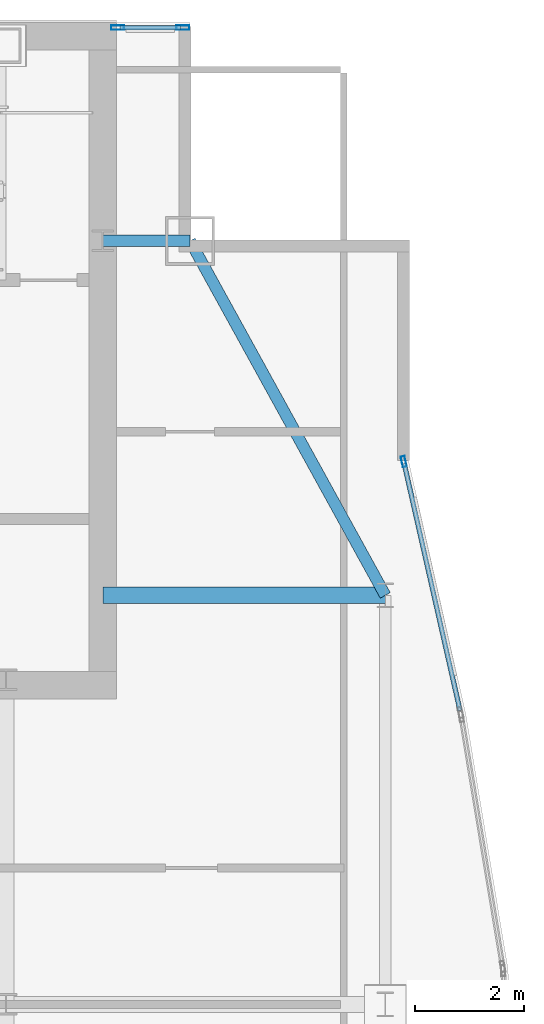
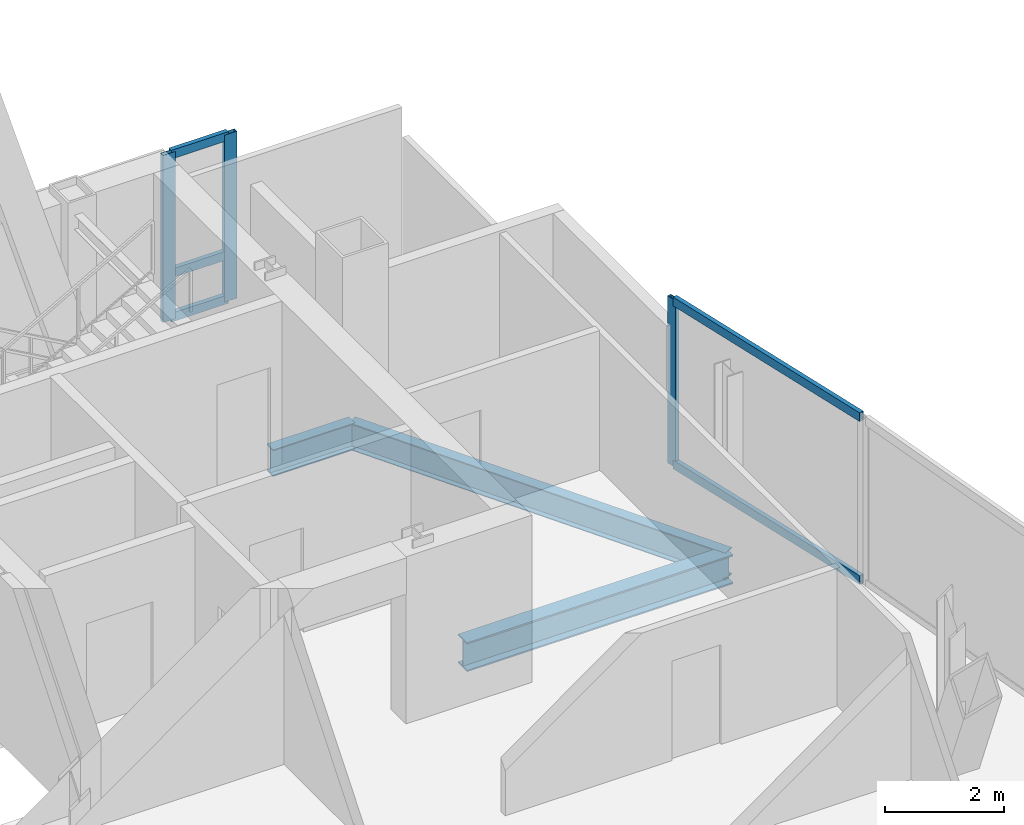
# One storey, part 24 of 31: 8 members, 3 beams, 2 elements without a shape of their own.
"""IFC4 building model written with IfcOpenShell, lengths in metres."""

from ifc_helpers import new_model, si_unit, direction, frame, origin, origin_2d, place, context, subcontext, project, spatial, hollow_rectangle, i_section, extrude, material, material_profile, profile_set, type_object, element, aggregate, save


model = new_model("IFC4")

# Units and contexts
model_context = context("Model", 3, precision=1e-05, world=origin(), true_north=direction((0.0, 1.0)))
body_context = subcontext(model_context, "Body", "Model", "MODEL_VIEW")
ifc_project = project(units=[si_unit("LENGTHUNIT", "METRE"), si_unit("AREAUNIT", "SQUARE_METRE"), si_unit("VOLUMEUNIT", "CUBIC_METRE"), si_unit("PLANEANGLEUNIT", "RADIAN"), si_unit("MASSUNIT", "GRAM", prefix="KILO")], contexts=[model_context])

# Site, building, storey
site_placement = place(None, origin())
site = spatial("IfcSite", under=ifc_project, at=site_placement, CompositionType="ELEMENT")
building_placement = place(site_placement, origin())
building = spatial("IfcBuilding", under=site, at=building_placement, Name="Khoronbel Lancet Exchange", CompositionType="ELEMENT")
storey_placement = place(building_placement, frame((0.0, 0.0, 325.39990234375)))
storey = spatial("IfcBuildingStorey", under=building, at=storey_placement, Name="L84", CompositionType="ELEMENT", Elevation=325.39990234375)

# Beams
ifc_material_1 = material(Name="Steel S355", Category="steel")
ifc_material_profile_1 = material_profile(ifc_material_1, i_section(OverallWidth=0.300048828125, OverallDepth=0.60009765625, WebThickness=0.015380859375, FlangeThickness=0.030029296875, at=origin_2d()), Name="HEB 600")
ifc_profile_set_1 = profile_set([ifc_material_profile_1], Name="Steel S355")
beam_type_1 = type_object("IfcBeamType", Name="BM-BG5", PredefinedType="BEAM", material=ifc_profile_set_1)
beam_1_placement = place(storey_placement, frame((56.449951171875, 43.199951171875, -0.4599609375), z_axis=(1.0, 0.0, 0.0), x_axis=(0.0, 1.0, 0.0)))
element("IfcBeam", 1, at=beam_1_placement, inside=storey, type_object=beam_type_1, Name="Level L84 east lens tie girder LG3E", PredefinedType="BEAM", context=body_context, shape_type="SweptSolid", body=[
    extrude(i_section(OverallWidth=0.300048828125, OverallDepth=0.60009765625, WebThickness=0.015380859375, FlangeThickness=0.030029296875, at=origin_2d()), origin(), (0.0, 0.0, 1.0), 5.179931640625),
])
ifc_material_profile_2 = material_profile(ifc_material_1, i_section(OverallWidth=0.2099609375, OverallDepth=0.550048828125, WebThickness=0.010986328125, FlangeThickness=0.01708984375, at=origin_2d()), Name="IPE 550")
ifc_profile_set_2 = profile_set([ifc_material_profile_2], Name="Steel S355")
beam_type_2 = type_object("IfcBeamType", Name="BM-BSP3", PredefinedType="SPANDREL", material=ifc_profile_set_2)
beam_2_placement = place(storey_placement, frame((61.6298828125, 43.199951171875, -0.434814453125), z_axis=(-0.482418808117, 0.875940690672, 0.0), x_axis=(-0.875940690672, -0.482418808117, 0.0)))
element("IfcBeam", 2, at=beam_2_placement, inside=storey, type_object=beam_type_2, Name="Level L84 perimeter spandrel beam SP13", PredefinedType="SPANDREL", context=body_context, shape_type="SweptSolid", body=[
    extrude(i_section(OverallWidth=0.2099609375, OverallDepth=0.550048828125, WebThickness=0.010986328125, FlangeThickness=0.01708984375, at=origin_2d()), origin(), (0.0, 0.0, 1.0), 7.420654296875),
])
beam_3_placement = place(storey_placement, frame((58.050048828125, 49.699951171875, -0.434814453125), z_axis=(-1.0, 0.0, 0.0), x_axis=(0.0, -1.0, 0.0)))
element("IfcBeam", 3, at=beam_3_placement, inside=storey, type_object=beam_type_2, Name="Level L84 north flank tie spandrel SP21", PredefinedType="SPANDREL", context=body_context, shape_type="SweptSolid", body=[
    extrude(i_section(OverallWidth=0.2099609375, OverallDepth=0.550048828125, WebThickness=0.010986328125, FlangeThickness=0.01708984375, at=origin_2d()), origin(), (0.0, 0.0, 1.0), 1.60009765625),
])

# Curtain wall, members
ifc_material_2 = material(Name="Low-E Solar Control Insulating Glass", Category="glass")
curtain_wall_type_1 = type_object("IfcCurtainWallType", Name="CW-3", PredefinedType="NOTDEFINED", material=ifc_material_2)
curtain_wall_1_placement = place(storey_placement, origin())
curtain_wall_1 = element("IfcCurtainWall", 4, at=curtain_wall_1_placement, inside=storey, type_object=curtain_wall_type_1, Name="Unitised curtain wall CW-L84-NEFLK", PredefinedType="NOTDEFINED")
ifc_material_3 = material(Name="Bronze-Anodised Aluminium 6063-T6", Category="aluminium")
ifc_material_profile_3 = material_profile(ifc_material_3, hollow_rectangle(XDim=0.0849609375, YDim=0.239990234375, WallThickness=0.006103515625, at=origin_2d()), Name="ALU MULLION 85x240")
ifc_profile_set_3 = profile_set([ifc_material_profile_3], Name="Bronze-Anodised Aluminium 6063-T6")
member_type_1 = type_object("IfcMemberType", Name="MEM-CWM1", PredefinedType="MULLION", material=ifc_profile_set_3)
member_1_placement = place(storey_placement, frame((57.91748046875, 53.610107421875, 0.0), z_axis=(0.0, 0.0, 1.0), x_axis=(0.0, -1.0, 0.0)))
member_1 = element("IfcMember", 5, at=member_1_placement, type_object=member_type_1, Name="CW3 mullion 1", PredefinedType="MULLION", context=body_context, shape_type="SweptSolid", body=[
    extrude(hollow_rectangle(XDim=0.0849609375, YDim=0.239990234375, WallThickness=0.006103515625, at=origin_2d()), origin(), (0.0, 0.0, 1.0), 3.440185546875),
])
member_2_placement = place(storey_placement, frame((56.722412109375, 53.610107421875, 0.0), z_axis=(0.0, 0.0, 1.0), x_axis=(0.0, -1.0, 0.0)))
member_2 = element("IfcMember", 6, at=member_2_placement, type_object=member_type_1, Name="CW3 mullion 2", PredefinedType="MULLION", context=body_context, shape_type="SweptSolid", body=[
    extrude(hollow_rectangle(XDim=0.0849609375, YDim=0.239990234375, WallThickness=0.006103515625, at=origin_2d()), origin(), (0.0, 0.0, 1.0), 3.440185546875),
])

# Curtain wall, member
curtain_wall_type_2 = type_object("IfcCurtainWallType", Name="CW-4", PredefinedType="NOTDEFINED", material=ifc_material_2)
curtain_wall_2_placement = place(storey_placement, origin())
curtain_wall_2 = element("IfcCurtainWall", 7, at=curtain_wall_2_placement, inside=storey, type_object=curtain_wall_type_2, Name="Unitised curtain wall CW-L84-E17", PredefinedType="NOTDEFINED")
ifc_material_profile_4 = material_profile(ifc_material_3, hollow_rectangle(XDim=0.074951171875, YDim=0.199951171875, WallThickness=0.0048828125, at=origin_2d()), Name="ALU MULLION 75x200")
ifc_profile_set_4 = profile_set([ifc_material_profile_4], Name="Bronze-Anodised Aluminium 6063-T6")
member_type_2 = type_object("IfcMemberType", Name="MEM-CWM2", PredefinedType="MULLION", material=ifc_profile_set_4)
member_3_placement = place(storey_placement, frame((61.96826171875, 45.6533203125, 0.0), z_axis=(0.0, 0.0, 1.0), x_axis=(0.975369067716, 0.220579196078, 0.0)))
member_3 = element("IfcMember", 8, at=member_3_placement, type_object=member_type_2, Name="CW4 mullion 1", PredefinedType="MULLION", context=body_context, shape_type="SweptSolid", body=[
    extrude(hollow_rectangle(XDim=0.074951171875, YDim=0.199951171875, WallThickness=0.0048828125, at=origin_2d()), origin(), (0.0, 0.0, 1.0), 3.440185546875),
])

# Member
ifc_material_profile_5 = material_profile(ifc_material_3, hollow_rectangle(XDim=0.0849609375, YDim=0.179931640625, WallThickness=0.0048828125, at=origin_2d()), Name="ALU TRANSOM 85x180")
ifc_profile_set_5 = profile_set([ifc_material_profile_5], Name="Bronze-Anodised Aluminium 6063-T6")
member_type_3 = type_object("IfcMemberType", Name="MEM-CWT1", PredefinedType="USERDEFINED", material=ifc_profile_set_5)
member_4_placement = place(storey_placement, frame((57.875, 53.610107421875, 0.04248046875), z_axis=(-1.0, 0.0, 0.0), x_axis=(0.0, -1.0, 0.0)))
member_4 = element("IfcMember", 9, at=member_4_placement, type_object=member_type_3, Name="CW3 transom 1.1", ObjectType="TRANSOM", PredefinedType="USERDEFINED", context=body_context, shape_type="SweptSolid", body=[
    extrude(hollow_rectangle(XDim=0.0849609375, YDim=0.179931640625, WallThickness=0.0048828125, at=origin_2d()), origin(), (0.0, 0.0, 1.0), 1.110107421875),
])

member_5_placement = place(storey_placement, frame((57.875, 53.610107421875, 0.9501953125), z_axis=(-1.0, 0.0, 0.0), x_axis=(0.0, -1.0, 0.0)))
member_5 = element("IfcMember", 10, at=member_5_placement, type_object=member_type_3, Name="CW3 transom 1.2", ObjectType="TRANSOM", PredefinedType="USERDEFINED", context=body_context, shape_type="SweptSolid", body=[
    extrude(hollow_rectangle(XDim=0.0849609375, YDim=0.179931640625, WallThickness=0.0048828125, at=origin_2d()), origin(), (0.0, 0.0, 1.0), 1.110107421875),
])

member_6_placement = place(storey_placement, frame((57.875, 53.610107421875, 3.397705078125), z_axis=(-1.0, 0.0, 0.0), x_axis=(0.0, -1.0, 0.0)))
member_6 = element("IfcMember", 11, at=member_6_placement, type_object=member_type_3, Name="CW3 transom 1.3", ObjectType="TRANSOM", PredefinedType="USERDEFINED", context=body_context, shape_type="SweptSolid", body=[
    extrude(hollow_rectangle(XDim=0.0849609375, YDim=0.179931640625, WallThickness=0.0048828125, at=origin_2d()), origin(), (0.0, 0.0, 1.0), 1.110107421875),
])

aggregate(curtain_wall_1, [member_1, member_2, member_4, member_5, member_6])

member_7_placement = place(storey_placement, frame((61.9765625, 45.61669921875, 0.04248046875), z_axis=(0.220582103652, -0.975368410165, 0.0), x_axis=(0.975368410165, 0.220582103652, 0.0)))
member_7 = element("IfcMember", 12, at=member_7_placement, type_object=member_type_3, Name="CW4 transom 1.1", ObjectType="TRANSOM", PredefinedType="USERDEFINED", context=body_context, shape_type="SweptSolid", body=[
    extrude(hollow_rectangle(XDim=0.0849609375, YDim=0.179931640625, WallThickness=0.0048828125, at=origin_2d()), origin(), (0.0, 0.0, 1.0), 4.641845703125),
])

member_8_placement = place(storey_placement, frame((61.9765625, 45.61669921875, 3.397705078125), z_axis=(0.220582103652, -0.975368410165, 0.0), x_axis=(0.975368410165, 0.220582103652, 0.0)))
member_8 = element("IfcMember", 13, at=member_8_placement, type_object=member_type_3, Name="CW4 transom 1.2", ObjectType="TRANSOM", PredefinedType="USERDEFINED", context=body_context, shape_type="SweptSolid", body=[
    extrude(hollow_rectangle(XDim=0.0849609375, YDim=0.179931640625, WallThickness=0.0048828125, at=origin_2d()), origin(), (0.0, 0.0, 1.0), 4.641845703125),
])

aggregate(curtain_wall_2, [member_3, member_7, member_8])

save(model, "model.ifc")
